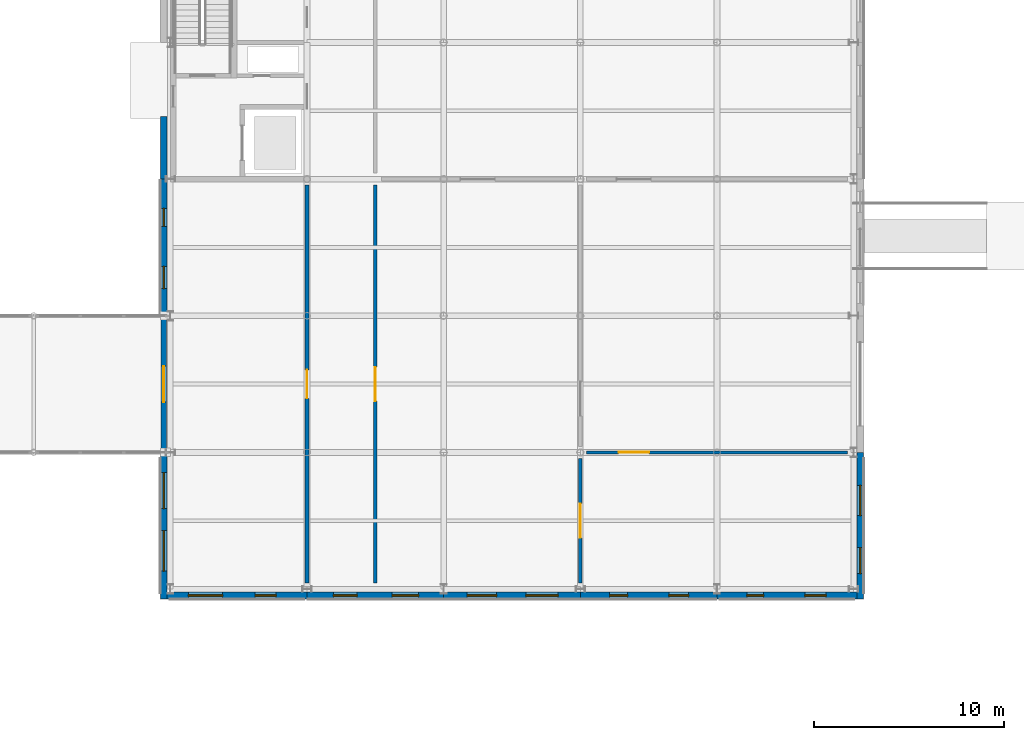
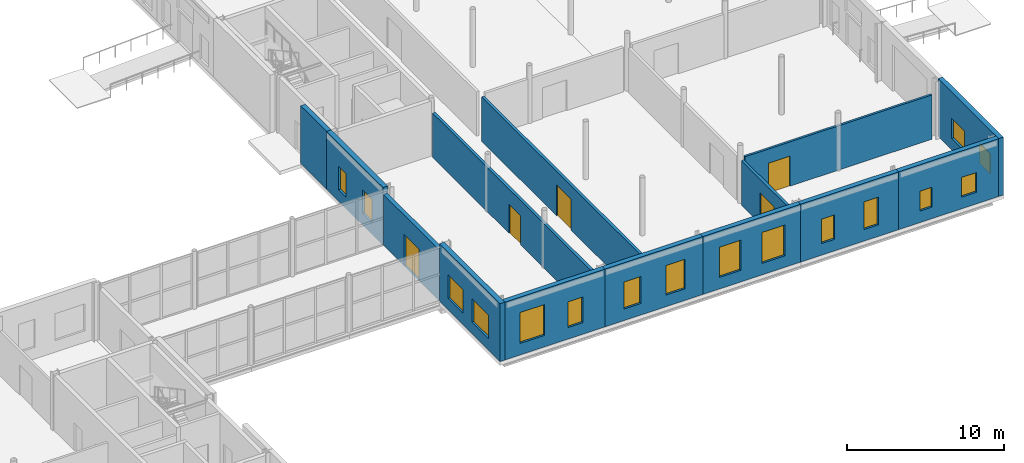
# One storey, part 66 of 92: 16 windows, 14 walls, 5 doors, 21 openings.
"""IFC4 building model written with IfcOpenShell, lengths in metres."""

from ifc_helpers import new_model, si_unit, direction, frame, frame_2d, origin, place, context, subcontext, project, spatial, rectangle, extrude, material, layer, layer_set, type_object, element, fill, save


model = new_model("IFC4")

# Units and contexts
model_context = context("Model", 3, precision=1e-05, world=origin(), true_north=direction((0.0, 1.0)))
body_context = subcontext(model_context, "Body", "Model", "MODEL_VIEW")
ifc_project = project(units=[si_unit("LENGTHUNIT", "METRE"), si_unit("AREAUNIT", "SQUARE_METRE"), si_unit("VOLUMEUNIT", "CUBIC_METRE"), si_unit("PLANEANGLEUNIT", "RADIAN"), si_unit("MASSUNIT", "GRAM", prefix="KILO")], contexts=[model_context])

# Site, building, storey
site_placement = place(None, origin())
site = spatial("IfcSite", under=ifc_project, at=site_placement, CompositionType="ELEMENT")
building_placement = place(site_placement, origin())
building = spatial("IfcBuilding", under=site, at=building_placement, Name="Zlatovets Crest Museum", CompositionType="ELEMENT")
storey_placement = place(building_placement, origin())
storey = spatial("IfcBuildingStorey", under=building, at=storey_placement, Name="L00", CompositionType="ELEMENT", Elevation=0.0)

# Wall, openings, windows
ifc_material_1 = material(Name="Vratsa limestone ashlar masonry and mineral wool", Category="masonry")
ifc_layer_1 = layer(ifc_material_1, 0.35009765625)
ifc_layer_set_1 = layer_set([ifc_layer_1], Name="Vratsa limestone ashlar masonry and mineral wool")
wall_type_1 = type_object("IfcWallType", Name="ExtWall_EW-01", PredefinedType="STANDARD", material=ifc_layer_set_1)
wall_1_placement = place(storey_placement, frame((129.43505859375, 14.06005859375, 0.0), z_axis=(0.0, 0.0, 1.0), x_axis=(1.0, 0.0, 0.0)))
wall_1 = element("IfcWall", 1, at=wall_1_placement, inside=storey, type_object=wall_type_1, Name="V5 L00 Vratsa Limestone Plinth Wall", PredefinedType="STANDARD", context=body_context, shape_type="SweptSolid", body=[
    extrude(rectangle(XDim=7.364990234375, YDim=0.35009765625, at=frame_2d((3.6826171875, 0.0))), origin(), (0.0, 0.0, 1.0), 4.5),
])
opening_1_placement = place(wall_1_placement, frame((1.115966796875, 0.0, 0.89990234375)))
opening_1 = element("IfcOpeningElement", 2, at=opening_1_placement, cuts=wall_1, Name="Opening WN-05", PredefinedType="OPENING", context=body_context, shape_type="SweptSolid", body=[
    extrude(rectangle(XDim=1.800048828125, YDim=2.39990234375, at=frame_2d((0.89990234375, 1.199951171875))), frame((0.0, 0.18505859375, 0.0), z_axis=(0.0, -1.0, 0.0), x_axis=(1.0, 0.0, 0.0)), (0.0, 0.0, 1.0), 0.3701171875),
])
opening_2_placement = place(wall_1_placement, frame((4.634033203125, 0.0, 0.89990234375)))
opening_2 = element("IfcOpeningElement", 3, at=opening_2_placement, cuts=wall_1, Name="Opening WN-06", PredefinedType="OPENING", context=body_context, shape_type="SweptSolid", body=[
    extrude(rectangle(XDim=1.10009765625, YDim=2.0, at=frame_2d((0.550048828125, 1.0))), frame((0.0, 0.18505859375, 0.0), z_axis=(0.0, -1.0, 0.0), x_axis=(1.0, 0.0, 0.0)), (0.0, 0.0, 1.0), 0.3701171875),
])
ifc_material_2 = material(Name="Bronze-anodised aluminium frame with low-E triple glass", Category="aluminium")
window_type_1 = type_object("IfcWindowType", Name="Win_WN-05", PartitioningType="SINGLE_PANEL", PredefinedType="WINDOW", material=ifc_material_2)
window_1_placement = place(opening_1_placement, origin())
window_1 = element("IfcWindow", 4, at=window_1_placement, inside=storey, type_object=window_type_1, Name="V5 L00 Secession Plinth Window WN-05", OverallHeight=2.39990234375, OverallWidth=1.800048828125, PartitioningType="SINGLE_PANEL", PredefinedType="WINDOW", context=body_context, shape_type="SweptSolid", body=[
    extrude(rectangle(XDim=1.800048828125, YDim=2.39990234375, at=frame_2d((0.89990234375, 1.199951171875))), frame((0.0, 0.030029296875, 0.0), z_axis=(0.0, -1.0, 0.0), x_axis=(1.0, 0.0, 0.0)), (0.0, 0.0, 1.0), 0.06005859375),
])
fill(opening_1, window_1)
window_type_2 = type_object("IfcWindowType", Name="Win_WN-06", PartitioningType="SINGLE_PANEL", PredefinedType="WINDOW", material=ifc_material_2)
window_2_placement = place(opening_2_placement, origin())
window_2 = element("IfcWindow", 5, at=window_2_placement, inside=storey, type_object=window_type_2, Name="V5 L00 Secession Plinth Window WN-06", OverallHeight=2.0, OverallWidth=1.10009765625, PartitioningType="SINGLE_PANEL", PredefinedType="WINDOW", context=body_context, shape_type="SweptSolid", body=[
    extrude(rectangle(XDim=1.10009765625, YDim=2.0, at=frame_2d((0.550048828125, 1.0))), frame((0.0, 0.030029296875, 0.0), z_axis=(0.0, -1.0, 0.0), x_axis=(1.0, 0.0, 0.0)), (0.0, 0.0, 1.0), 0.06005859375),
])
fill(opening_2, window_2)

wall_2_placement = place(storey_placement, frame((136.800048828125, 14.06005859375, 0.0), z_axis=(0.0, 0.0, 1.0), x_axis=(1.0, 0.0, 0.0)))
wall_2 = element("IfcWall", 6, at=wall_2_placement, inside=storey, type_object=wall_type_1, Name="V5 L00 Vratsa Limestone Plinth Wall", PredefinedType="STANDARD", context=body_context, shape_type="SweptSolid", body=[
    extrude(rectangle(XDim=7.199951171875, YDim=0.35009765625, at=frame_2d((3.60009765625, 0.0))), origin(), (0.0, 0.0, 1.0), 4.5),
])
opening_3_placement = place(wall_2_placement, frame((1.39111328125, 0.0, 0.89990234375)))
opening_3 = element("IfcOpeningElement", 7, at=opening_3_placement, cuts=wall_2, Name="Opening WN-07", PredefinedType="OPENING", context=body_context, shape_type="SweptSolid", body=[
    extrude(rectangle(XDim=1.25, YDim=2.10009765625, at=frame_2d((0.625, 1.050048828125))), frame((0.0, 0.18505859375, 0.0), z_axis=(0.0, -1.0, 0.0), x_axis=(1.0, 0.0, 0.0)), (0.0, 0.0, 1.0), 0.3701171875),
])
opening_4_placement = place(wall_2_placement, frame((4.48388671875, 0.0, 0.89990234375)))
opening_4 = element("IfcOpeningElement", 8, at=opening_4_placement, cuts=wall_2, Name="Opening WN-08", PredefinedType="OPENING", context=body_context, shape_type="SweptSolid", body=[
    extrude(rectangle(XDim=1.39990234375, YDim=2.300048828125, at=frame_2d((0.699951171875, 1.14990234375))), frame((0.0, 0.18505859375, 0.0), z_axis=(0.0, -1.0, 0.0), x_axis=(1.0, 0.0, 0.0)), (0.0, 0.0, 1.0), 0.3701171875),
])
window_type_3 = type_object("IfcWindowType", Name="Win_WN-07", PartitioningType="SINGLE_PANEL", PredefinedType="WINDOW", material=ifc_material_2)
window_3_placement = place(opening_3_placement, origin())
window_3 = element("IfcWindow", 9, at=window_3_placement, inside=storey, type_object=window_type_3, Name="V5 L00 Secession Plinth Window WN-07", OverallHeight=2.10009765625, OverallWidth=1.25, PartitioningType="SINGLE_PANEL", PredefinedType="WINDOW", context=body_context, shape_type="SweptSolid", body=[
    extrude(rectangle(XDim=1.25, YDim=2.10009765625, at=frame_2d((0.625, 1.050048828125))), frame((0.0, 0.030029296875, 0.0), z_axis=(0.0, -1.0, 0.0), x_axis=(1.0, 0.0, 0.0)), (0.0, 0.0, 1.0), 0.06005859375),
])
fill(opening_3, window_3)
window_type_4 = type_object("IfcWindowType", Name="Win_WN-08", PartitioningType="SINGLE_PANEL", PredefinedType="WINDOW", material=ifc_material_2)
window_4_placement = place(opening_4_placement, origin())
window_4 = element("IfcWindow", 10, at=window_4_placement, inside=storey, type_object=window_type_4, Name="V5 L00 Secession Plinth Window WN-08", OverallHeight=2.300048828125, OverallWidth=1.39990234375, PartitioningType="SINGLE_PANEL", PredefinedType="WINDOW", context=body_context, shape_type="SweptSolid", body=[
    extrude(rectangle(XDim=1.39990234375, YDim=2.300048828125, at=frame_2d((0.699951171875, 1.14990234375))), frame((0.0, 0.030029296875, 0.0), z_axis=(0.0, -1.0, 0.0), x_axis=(1.0, 0.0, 0.0)), (0.0, 0.0, 1.0), 0.06005859375),
])
fill(opening_4, window_4)

wall_3_placement = place(storey_placement, frame((144.0, 14.06005859375, 0.0), z_axis=(0.0, 0.0, 1.0), x_axis=(1.0, 0.0, 0.0)))
wall_3 = element("IfcWall", 11, at=wall_3_placement, inside=storey, type_object=wall_type_1, Name="V5 L00 Vratsa Limestone Plinth Wall", PredefinedType="STANDARD", context=body_context, shape_type="SweptSolid", body=[
    extrude(rectangle(XDim=7.199951171875, YDim=0.35009765625, at=frame_2d((3.60009765625, 0.0))), origin(), (0.0, 0.0, 1.0), 4.5),
])
opening_5_placement = place(wall_3_placement, frame((1.240966796875, 0.0, 0.89990234375)))
opening_5 = element("IfcOpeningElement", 12, at=opening_5_placement, cuts=wall_3, Name="Opening WN-09", PredefinedType="OPENING", context=body_context, shape_type="SweptSolid", body=[
    extrude(rectangle(XDim=1.550048828125, YDim=2.35009765625, at=frame_2d((0.77490234375, 1.175048828125))), frame((0.0, 0.18505859375, 0.0), z_axis=(0.0, -1.0, 0.0), x_axis=(1.0, 0.0, 0.0)), (0.0, 0.0, 1.0), 0.3701171875),
])
opening_6_placement = place(wall_3_placement, frame((4.333984375, 0.0, 0.89990234375)))
opening_6 = element("IfcOpeningElement", 13, at=opening_6_placement, cuts=wall_3, Name="Opening WN-10", PredefinedType="OPENING", context=body_context, shape_type="SweptSolid", body=[
    extrude(rectangle(XDim=1.699951171875, YDim=2.39990234375, at=frame_2d((0.85009765625, 1.199951171875))), frame((0.0, 0.18505859375, 0.0), z_axis=(0.0, -1.0, 0.0), x_axis=(1.0, 0.0, 0.0)), (0.0, 0.0, 1.0), 0.3701171875),
])
window_type_5 = type_object("IfcWindowType", Name="Win_WN-09", PartitioningType="SINGLE_PANEL", PredefinedType="WINDOW", material=ifc_material_2)
window_5_placement = place(opening_5_placement, origin())
window_5 = element("IfcWindow", 14, at=window_5_placement, inside=storey, type_object=window_type_5, Name="V5 L00 Secession Plinth Window WN-09", OverallHeight=2.35009765625, OverallWidth=1.550048828125, PartitioningType="SINGLE_PANEL", PredefinedType="WINDOW", context=body_context, shape_type="SweptSolid", body=[
    extrude(rectangle(XDim=1.550048828125, YDim=2.35009765625, at=frame_2d((0.77490234375, 1.175048828125))), frame((0.0, 0.030029296875, 0.0), z_axis=(0.0, -1.0, 0.0), x_axis=(1.0, 0.0, 0.0)), (0.0, 0.0, 1.0), 0.06005859375),
])
fill(opening_5, window_5)
window_type_6 = type_object("IfcWindowType", Name="Win_WN-10", PartitioningType="SINGLE_PANEL", PredefinedType="WINDOW", material=ifc_material_2)
window_6_placement = place(opening_6_placement, origin())
window_6 = element("IfcWindow", 15, at=window_6_placement, inside=storey, type_object=window_type_6, Name="V5 L00 Secession Plinth Window WN-10", OverallHeight=2.39990234375, OverallWidth=1.699951171875, PartitioningType="SINGLE_PANEL", PredefinedType="WINDOW", context=body_context, shape_type="SweptSolid", body=[
    extrude(rectangle(XDim=1.699951171875, YDim=2.39990234375, at=frame_2d((0.85009765625, 1.199951171875))), frame((0.0, 0.030029296875, 0.0), z_axis=(0.0, -1.0, 0.0), x_axis=(1.0, 0.0, 0.0)), (0.0, 0.0, 1.0), 0.06005859375),
])
fill(opening_6, window_6)

wall_4_placement = place(storey_placement, frame((151.199951171875, 14.06005859375, 0.0), z_axis=(0.0, 0.0, 1.0), x_axis=(1.0, 0.0, 0.0)))
wall_4 = element("IfcWall", 16, at=wall_4_placement, inside=storey, type_object=wall_type_1, Name="V5 L00 Vratsa Limestone Plinth Wall", PredefinedType="STANDARD", context=body_context, shape_type="SweptSolid", body=[
    extrude(rectangle(XDim=7.199951171875, YDim=0.35009765625, at=frame_2d((3.60009765625, 0.0))), origin(), (0.0, 0.0, 1.0), 4.5),
])
opening_7_placement = place(wall_4_placement, frame((1.541015625, 0.0, 0.89990234375)))
opening_7 = element("IfcOpeningElement", 17, at=opening_7_placement, cuts=wall_4, Name="Opening WN-11", PredefinedType="OPENING", context=body_context, shape_type="SweptSolid", body=[
    extrude(rectangle(XDim=0.949951171875, YDim=1.89990234375, at=frame_2d((0.47509765625, 0.949951171875))), frame((0.0, 0.18505859375, 0.0), z_axis=(0.0, -1.0, 0.0), x_axis=(1.0, 0.0, 0.0)), (0.0, 0.0, 1.0), 0.3701171875),
])
opening_8_placement = place(wall_4_placement, frame((4.658935546875, 0.0, 0.89990234375)))
opening_8 = element("IfcOpeningElement", 18, at=opening_8_placement, cuts=wall_4, Name="Opening WN-12", PredefinedType="OPENING", context=body_context, shape_type="SweptSolid", body=[
    extrude(rectangle(XDim=1.050048828125, YDim=2.14990234375, at=frame_2d((0.52490234375, 1.074951171875))), frame((0.0, 0.18505859375, 0.0), z_axis=(0.0, -1.0, 0.0), x_axis=(1.0, 0.0, 0.0)), (0.0, 0.0, 1.0), 0.3701171875),
])
window_type_7 = type_object("IfcWindowType", Name="Win_WN-11", PartitioningType="SINGLE_PANEL", PredefinedType="WINDOW", material=ifc_material_2)
window_7_placement = place(opening_7_placement, origin())
window_7 = element("IfcWindow", 19, at=window_7_placement, inside=storey, type_object=window_type_7, Name="V5 L00 Secession Plinth Window WN-11", OverallHeight=1.89990234375, OverallWidth=0.949951171875, PartitioningType="SINGLE_PANEL", PredefinedType="WINDOW", context=body_context, shape_type="SweptSolid", body=[
    extrude(rectangle(XDim=0.949951171875, YDim=1.89990234375, at=frame_2d((0.47509765625, 0.949951171875))), frame((0.0, 0.030029296875, 0.0), z_axis=(0.0, -1.0, 0.0), x_axis=(1.0, 0.0, 0.0)), (0.0, 0.0, 1.0), 0.06005859375),
])
fill(opening_7, window_7)
window_type_8 = type_object("IfcWindowType", Name="Win_WN-12", PartitioningType="SINGLE_PANEL", PredefinedType="WINDOW", material=ifc_material_2)
window_8_placement = place(opening_8_placement, origin())
window_8 = element("IfcWindow", 20, at=window_8_placement, inside=storey, type_object=window_type_8, Name="V5 L00 Secession Plinth Window WN-12", OverallHeight=2.14990234375, OverallWidth=1.050048828125, PartitioningType="SINGLE_PANEL", PredefinedType="WINDOW", context=body_context, shape_type="SweptSolid", body=[
    extrude(rectangle(XDim=1.050048828125, YDim=2.14990234375, at=frame_2d((0.52490234375, 1.074951171875))), frame((0.0, 0.030029296875, 0.0), z_axis=(0.0, -1.0, 0.0), x_axis=(1.0, 0.0, 0.0)), (0.0, 0.0, 1.0), 0.06005859375),
])
fill(opening_8, window_8)

wall_5_placement = place(storey_placement, frame((158.39990234375, 14.06005859375, 0.0), z_axis=(0.0, 0.0, 1.0), x_axis=(1.0, 0.0, 0.0)))
wall_5 = element("IfcWall", 21, at=wall_5_placement, inside=storey, type_object=wall_type_1, Name="V5 L00 Vratsa Limestone Plinth Wall", PredefinedType="STANDARD", context=body_context, shape_type="SweptSolid", body=[
    extrude(rectangle(XDim=7.364990234375, YDim=0.35009765625, at=frame_2d((3.6826171875, 0.0))), origin(), (0.0, 0.0, 1.0), 4.5),
])
opening_9_placement = place(wall_5_placement, frame((1.575927734375, 0.0, 0.89990234375)))
opening_9 = element("IfcOpeningElement", 22, at=opening_9_placement, cuts=wall_5, Name="Opening WN-16", PredefinedType="OPENING", context=body_context, shape_type="SweptSolid", body=[
    extrude(rectangle(XDim=0.8798828125, YDim=1.5400390625, at=frame_2d((0.43994140625, 0.77001953125))), frame((0.0, 0.18505859375, 0.0), z_axis=(0.0, -1.0, 0.0), x_axis=(1.0, 0.0, 0.0)), (0.0, 0.0, 1.0), 0.3701171875),
])
opening_10_placement = place(wall_5_placement, frame((4.6240234375, 0.0, 0.89990234375)))
opening_10 = element("IfcOpeningElement", 23, at=opening_10_placement, cuts=wall_5, Name="Opening WN-17", PredefinedType="OPENING", context=body_context, shape_type="SweptSolid", body=[
    extrude(rectangle(XDim=1.1201171875, YDim=1.5400390625, at=frame_2d((0.56005859375, 0.77001953125))), frame((0.0, 0.18505859375, 0.0), z_axis=(0.0, -1.0, 0.0), x_axis=(1.0, 0.0, 0.0)), (0.0, 0.0, 1.0), 0.3701171875),
])
window_type_9 = type_object("IfcWindowType", Name="Win_WN-16", PartitioningType="SINGLE_PANEL", PredefinedType="WINDOW", material=ifc_material_2)
window_9_placement = place(opening_9_placement, origin())
window_9 = element("IfcWindow", 24, at=window_9_placement, inside=storey, type_object=window_type_9, Name="V5 L00 Secession Plinth Window WN-16", OverallHeight=1.5400390625, OverallWidth=0.8798828125, PartitioningType="SINGLE_PANEL", PredefinedType="WINDOW", context=body_context, shape_type="SweptSolid", body=[
    extrude(rectangle(XDim=0.8798828125, YDim=1.5400390625, at=frame_2d((0.43994140625, 0.77001953125))), frame((0.0, 0.030029296875, 0.0), z_axis=(0.0, -1.0, 0.0), x_axis=(1.0, 0.0, 0.0)), (0.0, 0.0, 1.0), 0.06005859375),
])
fill(opening_9, window_9)
window_type_10 = type_object("IfcWindowType", Name="Win_WN-17", PartitioningType="SINGLE_PANEL", PredefinedType="WINDOW", material=ifc_material_2)
window_10_placement = place(opening_10_placement, origin())
window_10 = element("IfcWindow", 25, at=window_10_placement, inside=storey, type_object=window_type_10, Name="V5 L00 Secession Plinth Window WN-17", OverallHeight=1.5400390625, OverallWidth=1.1201171875, PartitioningType="SINGLE_PANEL", PredefinedType="WINDOW", context=body_context, shape_type="SweptSolid", body=[
    extrude(rectangle(XDim=1.1201171875, YDim=1.5400390625, at=frame_2d((0.56005859375, 0.77001953125))), frame((0.0, 0.030029296875, 0.0), z_axis=(0.0, -1.0, 0.0), x_axis=(1.0, 0.0, 0.0)), (0.0, 0.0, 1.0), 0.06005859375),
])
fill(opening_10, window_10)

wall_6_placement = place(storey_placement, frame((165.93994140625, 13.885009765625, 0.0), z_axis=(0.0, 0.0, 1.0), x_axis=(0.0, 1.0, 0.0)))
wall_6 = element("IfcWall", 26, at=wall_6_placement, inside=storey, type_object=wall_type_1, Name="V5 L00 Vratsa Limestone Plinth Wall", PredefinedType="STANDARD", context=body_context, shape_type="SweptSolid", body=[
    extrude(rectangle(XDim=7.715087890625, YDim=0.35009765625, at=frame_2d((3.857421875, 0.0))), origin(), (0.0, 0.0, 1.0), 4.5),
])
opening_11_placement = place(wall_6_placement, frame((1.3359375, 0.0, 0.89990234375)))
opening_11 = element("IfcOpeningElement", 27, at=opening_11_placement, cuts=wall_6, Name="Opening WN-18", PredefinedType="OPENING", context=body_context, shape_type="SweptSolid", body=[
    extrude(rectangle(XDim=1.360107421875, YDim=1.5400390625, at=frame_2d((0.68017578125, 0.77001953125))), frame((0.0, 0.18505859375, 0.0), z_axis=(0.0, -1.0, 0.0), x_axis=(1.0, 0.0, 0.0)), (0.0, 0.0, 1.0), 0.3701171875),
])
opening_12_placement = place(wall_6_placement, frame((4.384033203125, 0.0, 0.89990234375)))
opening_12 = element("IfcOpeningElement", 28, at=opening_12_placement, cuts=wall_6, Name="Opening WN-19", PredefinedType="OPENING", context=body_context, shape_type="SweptSolid", body=[
    extrude(rectangle(XDim=1.60009765625, YDim=1.5400390625, at=frame_2d((0.800048828125, 0.77001953125))), frame((0.0, 0.18505859375, 0.0), z_axis=(0.0, -1.0, 0.0), x_axis=(1.0, 0.0, 0.0)), (0.0, 0.0, 1.0), 0.3701171875),
])
window_type_11 = type_object("IfcWindowType", Name="Win_WN-18", PartitioningType="SINGLE_PANEL", PredefinedType="WINDOW", material=ifc_material_2)
window_11_placement = place(opening_11_placement, origin())
window_11 = element("IfcWindow", 29, at=window_11_placement, inside=storey, type_object=window_type_11, Name="V5 L00 Secession Plinth Window WN-18", OverallHeight=1.5400390625, OverallWidth=1.360107421875, PartitioningType="SINGLE_PANEL", PredefinedType="WINDOW", context=body_context, shape_type="SweptSolid", body=[
    extrude(rectangle(XDim=1.360107421875, YDim=1.5400390625, at=frame_2d((0.68017578125, 0.77001953125))), frame((0.0, 0.030029296875, 0.0), z_axis=(0.0, -1.0, 0.0), x_axis=(1.0, 0.0, 0.0)), (0.0, 0.0, 1.0), 0.06005859375),
])
fill(opening_11, window_11)
window_type_12 = type_object("IfcWindowType", Name="Win_WN-19", PartitioningType="SINGLE_PANEL", PredefinedType="WINDOW", material=ifc_material_2)
window_12_placement = place(opening_12_placement, origin())
window_12 = element("IfcWindow", 30, at=window_12_placement, inside=storey, type_object=window_type_12, Name="V5 L00 Secession Plinth Window WN-19", OverallHeight=1.5400390625, OverallWidth=1.60009765625, PartitioningType="SINGLE_PANEL", PredefinedType="WINDOW", context=body_context, shape_type="SweptSolid", body=[
    extrude(rectangle(XDim=1.60009765625, YDim=1.5400390625, at=frame_2d((0.800048828125, 0.77001953125))), frame((0.0, 0.030029296875, 0.0), z_axis=(0.0, -1.0, 0.0), x_axis=(1.0, 0.0, 0.0)), (0.0, 0.0, 1.0), 0.06005859375),
])
fill(opening_12, window_12)

# Wall
wall_7_placement = place(storey_placement, frame((129.260009765625, 39.300048828125, 0.0), z_axis=(0.0, 0.0, 1.0), x_axis=(0.0, -1.0, 0.0)))
element("IfcWall", 31, at=wall_7_placement, inside=storey, type_object=wall_type_1, Name="V5 L00 Vratsa Limestone Core Plinth", PredefinedType="STANDARD", context=body_context, shape_type="SweptSolid", body=[
    extrude(rectangle(XDim=3.300048828125, YDim=0.35009765625, at=frame_2d((1.64990234375, 0.0))), origin(), (0.0, 0.0, 1.0), 4.5),
])

# Wall, openings, windows
wall_8_placement = place(storey_placement, frame((129.260009765625, 36.0, 0.0), z_axis=(0.0, 0.0, 1.0), x_axis=(0.0, -1.0, 0.0)))
wall_8 = element("IfcWall", 32, at=wall_8_placement, inside=storey, type_object=wall_type_1, Name="V5 L00 Vratsa Limestone Plinth Wall", PredefinedType="STANDARD", context=body_context, shape_type="SweptSolid", body=[
    extrude(rectangle(XDim=7.199951171875, YDim=0.35009765625, at=frame_2d((3.60009765625, 0.0))), origin(), (0.0, 0.0, 1.0), 4.5),
])
opening_13_placement = place(wall_8_placement, frame((1.5458984375, 0.0, 0.89990234375)))
opening_13 = element("IfcOpeningElement", 33, at=opening_13_placement, cuts=wall_8, Name="Opening WN-28", PredefinedType="OPENING", context=body_context, shape_type="SweptSolid", body=[
    extrude(rectangle(XDim=0.93994140625, YDim=1.820068359375, at=frame_2d((0.469970703125, 0.91015625))), frame((0.0, 0.18505859375, 0.0), z_axis=(0.0, -1.0, 0.0), x_axis=(1.0, 0.0, 0.0)), (0.0, 0.0, 1.0), 0.3701171875),
])
opening_14_placement = place(wall_8_placement, frame((4.593994140625, 0.0, 0.89990234375)))
opening_14 = element("IfcOpeningElement", 34, at=opening_14_placement, cuts=wall_8, Name="Opening WN-29", PredefinedType="OPENING", context=body_context, shape_type="SweptSolid", body=[
    extrude(rectangle(XDim=1.179931640625, YDim=1.820068359375, at=frame_2d((0.58984375, 0.91015625))), frame((0.0, 0.18505859375, 0.0), z_axis=(0.0, -1.0, 0.0), x_axis=(1.0, 0.0, 0.0)), (0.0, 0.0, 1.0), 0.3701171875),
])
window_type_13 = type_object("IfcWindowType", Name="Win_WN-28", PartitioningType="SINGLE_PANEL", PredefinedType="WINDOW", material=ifc_material_2)
window_13_placement = place(opening_13_placement, origin())
window_13 = element("IfcWindow", 35, at=window_13_placement, inside=storey, type_object=window_type_13, Name="V5 L00 Secession Plinth Window WN-28", OverallHeight=1.820068359375, OverallWidth=0.93994140625, PartitioningType="SINGLE_PANEL", PredefinedType="WINDOW", context=body_context, shape_type="SweptSolid", body=[
    extrude(rectangle(XDim=0.93994140625, YDim=1.820068359375, at=frame_2d((0.469970703125, 0.91015625))), frame((0.0, 0.030029296875, 0.0), z_axis=(0.0, -1.0, 0.0), x_axis=(1.0, 0.0, 0.0)), (0.0, 0.0, 1.0), 0.06005859375),
])
fill(opening_13, window_13)
window_type_14 = type_object("IfcWindowType", Name="Win_WN-29", PartitioningType="SINGLE_PANEL", PredefinedType="WINDOW", material=ifc_material_2)
window_14_placement = place(opening_14_placement, origin())
window_14 = element("IfcWindow", 36, at=window_14_placement, inside=storey, type_object=window_type_14, Name="V5 L00 Secession Plinth Window WN-29", OverallHeight=1.820068359375, OverallWidth=1.179931640625, PartitioningType="SINGLE_PANEL", PredefinedType="WINDOW", context=body_context, shape_type="SweptSolid", body=[
    extrude(rectangle(XDim=1.179931640625, YDim=1.820068359375, at=frame_2d((0.58984375, 0.91015625))), frame((0.0, 0.030029296875, 0.0), z_axis=(0.0, -1.0, 0.0), x_axis=(1.0, 0.0, 0.0)), (0.0, 0.0, 1.0), 0.06005859375),
])
fill(opening_14, window_14)

wall_9_placement = place(storey_placement, frame((129.260009765625, 21.60009765625, 0.0), z_axis=(0.0, 0.0, 1.0), x_axis=(0.0, -1.0, 0.0)))
wall_9 = element("IfcWall", 37, at=wall_9_placement, inside=storey, type_object=wall_type_1, Name="V5 L00 Vratsa Limestone Plinth Wall", PredefinedType="STANDARD", context=body_context, shape_type="SweptSolid", body=[
    extrude(rectangle(XDim=7.715087890625, YDim=0.35009765625, at=frame_2d((3.857421875, 0.0))), origin(), (0.0, 0.0, 1.0), 4.5),
])
opening_15_placement = place(wall_9_placement, frame((1.06591796875, 0.0, 0.89990234375)))
opening_15 = element("IfcOpeningElement", 38, at=opening_15_placement, cuts=wall_9, Name="Opening WN-32", PredefinedType="OPENING", context=body_context, shape_type="SweptSolid", body=[
    extrude(rectangle(XDim=1.89990234375, YDim=1.820068359375, at=frame_2d((0.949951171875, 0.91015625))), frame((0.0, 0.18505859375, 0.0), z_axis=(0.0, -1.0, 0.0), x_axis=(1.0, 0.0, 0.0)), (0.0, 0.0, 1.0), 0.3701171875),
])
opening_16_placement = place(wall_9_placement, frame((4.114013671875, 0.0, 0.89990234375)))
opening_16 = element("IfcOpeningElement", 39, at=opening_16_placement, cuts=wall_9, Name="Opening WN-33", PredefinedType="OPENING", context=body_context, shape_type="SweptSolid", body=[
    extrude(rectangle(XDim=2.139892578125, YDim=1.820068359375, at=frame_2d((1.06982421875, 0.91015625))), frame((0.0, 0.18505859375, 0.0), z_axis=(0.0, -1.0, 0.0), x_axis=(1.0, 0.0, 0.0)), (0.0, 0.0, 1.0), 0.3701171875),
])
window_type_15 = type_object("IfcWindowType", Name="Win_WN-32", PartitioningType="SINGLE_PANEL", PredefinedType="WINDOW", material=ifc_material_2)
window_15_placement = place(opening_15_placement, origin())
window_15 = element("IfcWindow", 40, at=window_15_placement, inside=storey, type_object=window_type_15, Name="V5 L00 Secession Plinth Window WN-32", OverallHeight=1.820068359375, OverallWidth=1.89990234375, PartitioningType="SINGLE_PANEL", PredefinedType="WINDOW", context=body_context, shape_type="SweptSolid", body=[
    extrude(rectangle(XDim=1.89990234375, YDim=1.820068359375, at=frame_2d((0.949951171875, 0.91015625))), frame((0.0, 0.030029296875, 0.0), z_axis=(0.0, -1.0, 0.0), x_axis=(1.0, 0.0, 0.0)), (0.0, 0.0, 1.0), 0.06005859375),
])
fill(opening_15, window_15)
window_type_16 = type_object("IfcWindowType", Name="Win_WN-33", PartitioningType="SINGLE_PANEL", PredefinedType="WINDOW", material=ifc_material_2)
window_16_placement = place(opening_16_placement, origin())
window_16 = element("IfcWindow", 41, at=window_16_placement, inside=storey, type_object=window_type_16, Name="V5 L00 Secession Plinth Window WN-33", OverallHeight=1.820068359375, OverallWidth=2.139892578125, PartitioningType="SINGLE_PANEL", PredefinedType="WINDOW", context=body_context, shape_type="SweptSolid", body=[
    extrude(rectangle(XDim=2.139892578125, YDim=1.820068359375, at=frame_2d((1.06982421875, 0.91015625))), frame((0.0, 0.030029296875, 0.0), z_axis=(0.0, -1.0, 0.0), x_axis=(1.0, 0.0, 0.0)), (0.0, 0.0, 1.0), 0.06005859375),
])
fill(opening_16, window_16)

# Wall, opening, door
ifc_material_3 = material(Name="Insulated gallery conservation liner wall", Category="concrete")
ifc_layer_2 = layer(ifc_material_3, 0.300048828125)
ifc_layer_set_2 = layer_set([ifc_layer_2], Name="Insulated gallery conservation liner wall")
wall_type_2 = type_object("IfcWallType", Name="ExtWall_EW-02", PredefinedType="STANDARD", material=ifc_layer_set_2)
wall_10_placement = place(storey_placement, frame((129.260009765625, 28.800048828125, 0.0), z_axis=(0.0, 0.0, 1.0), x_axis=(0.0, -1.0, 0.0)))
wall_10 = element("IfcWall", 42, at=wall_10_placement, inside=storey, type_object=wall_type_2, Name="V5 L00 Bridge Portal Wall", PredefinedType="STANDARD", context=body_context, shape_type="SweptSolid", body=[
    extrude(rectangle(XDim=7.199951171875, YDim=0.300048828125, at=frame_2d((3.60009765625, 0.0))), origin(), (0.0, 0.0, 1.0), 3.949951171875),
])
opening_17_placement = place(wall_10_placement, frame((2.64990234375, 0.0, 0.0)))
opening_17 = element("IfcOpeningElement", 43, at=opening_17_placement, cuts=wall_10, Name="Opening ED-02", PredefinedType="OPENING", context=body_context, shape_type="SweptSolid", body=[
    extrude(rectangle(XDim=1.89990234375, YDim=2.449951171875, at=frame_2d((0.949951171875, 1.22509765625))), frame((0.0, 0.16015625, 0.0), z_axis=(0.0, -1.0, 0.0), x_axis=(1.0, 0.0, 0.0)), (0.0, 0.0, 1.0), 0.320068359375),
])
ifc_material_4 = material(Name="Bronze-clad insulated steel door", Category="steel")
door_type_1 = type_object("IfcDoorType", Name="ExtDoor_ED-02", OperationType="NOTDEFINED", PredefinedType="DOOR", material=ifc_material_4)
door_1_placement = place(opening_17_placement, origin())
door_1 = element("IfcDoor", 44, at=door_1_placement, inside=storey, type_object=door_type_1, Name="ED-V5-L00-BR046 V5 L00 Bridge Link Portal Door", OperationType="DOUBLE_DOOR_SINGLE_SWING", OverallHeight=2.449951171875, OverallWidth=1.89990234375, PredefinedType="DOOR", context=body_context, shape_type="SweptSolid", body=[
    extrude(rectangle(XDim=1.89990234375, YDim=2.449951171875, at=frame_2d((0.949951171875, 1.22509765625))), frame((0.0, 0.02490234375, 0.0), z_axis=(0.0, -1.0, 0.0), x_axis=(1.0, 0.0, 0.0)), (0.0, 0.0, 1.0), 0.050048828125),
])
fill(opening_17, door_1)

ifc_material_5 = material(Name="Gypsum-encased fire compartment partition")
ifc_layer_3 = layer(ifc_material_5, 0.199951171875)
ifc_layer_set_3 = layer_set([ifc_layer_3], Name="Gypsum-encased fire compartment partition")
wall_type_3 = type_object("IfcWallType", Name="PartWall_PT-01", PredefinedType="PARTITIONING", material=ifc_layer_set_3)
wall_11_placement = place(storey_placement, frame((140.39990234375, 14.719970703125, 0.0), z_axis=(0.0, 0.0, 1.0), x_axis=(0.0, 1.0, 0.0)))
wall_11 = element("IfcWall", 45, at=wall_11_placement, inside=storey, type_object=wall_type_3, Name="V5 L00 Interior Partition PT-01", PredefinedType="PARTITIONING", context=body_context, shape_type="SweptSolid", body=[
    extrude(rectangle(XDim=20.9599609375, YDim=0.199951171875, at=frame_2d((10.47998046875, 0.0))), origin(), (0.0, 0.0, 1.0), 3.449951171875),
])
opening_18_placement = place(wall_11_placement, frame((9.580078125, 0.0, 0.0)))
opening_18 = element("IfcOpeningElement", 46, at=opening_18_placement, cuts=wall_11, Name="Opening FD-04", PredefinedType="OPENING", context=body_context, shape_type="SweptSolid", body=[
    extrude(rectangle(XDim=1.800048828125, YDim=2.39990234375, at=frame_2d((0.89990234375, 1.199951171875))), frame((0.0, 0.10986328125, 0.0), z_axis=(0.0, -1.0, 0.0), x_axis=(1.0, 0.0, 0.0)), (0.0, 0.0, 1.0), 0.219970703125),
])
ifc_material_6 = material(Name="Archive vault heavy fire door")
door_type_2 = type_object("IfcDoorType", Name="IntDoor_FD-04", OperationType="DOUBLE_DOOR_SINGLE_SWING", PredefinedType="DOOR", material=ifc_material_6)
door_2_placement = place(opening_18_placement, origin())
door_2 = element("IfcDoor", 47, at=door_2_placement, inside=storey, type_object=door_type_2, Name="IDOOR-V5-L00-0080 Conservation Ground Corridor to Art Unpacking and Crating Hall Door", OperationType="DOUBLE_DOOR_SINGLE_SWING", OverallHeight=2.39990234375, OverallWidth=1.800048828125, PredefinedType="DOOR", context=body_context, shape_type="SweptSolid", body=[
    extrude(rectangle(XDim=1.800048828125, YDim=2.39990234375, at=frame_2d((0.89990234375, 1.199951171875))), frame((0.0, 0.02490234375, 0.0), z_axis=(0.0, -1.0, 0.0), x_axis=(1.0, 0.0, 0.0)), (0.0, 0.0, 1.0), 0.050048828125),
])
fill(opening_18, door_2)

wall_12_placement = place(storey_placement, frame((136.800048828125, 14.719970703125, 0.0), z_axis=(0.0, 0.0, 1.0), x_axis=(0.0, 1.0, 0.0)))
wall_12 = element("IfcWall", 48, at=wall_12_placement, inside=storey, type_object=wall_type_3, Name="V5 L00 Interior Partition PT-01", PredefinedType="PARTITIONING", context=body_context, shape_type="SweptSolid", body=[
    extrude(rectangle(XDim=20.9599609375, YDim=0.199951171875, at=frame_2d((10.47998046875, 0.0))), origin(), (0.0, 0.0, 1.0), 3.449951171875),
])
opening_19_placement = place(wall_12_placement, frame((9.72998046875, 0.0, 0.0)))
opening_19 = element("IfcOpeningElement", 49, at=opening_19_placement, cuts=wall_12, Name="Opening FD-02", PredefinedType="OPENING", context=body_context, shape_type="SweptSolid", body=[
    extrude(rectangle(XDim=1.5, YDim=2.25, at=frame_2d((0.75, 1.125))), frame((0.0, 0.10986328125, 0.0), z_axis=(0.0, -1.0, 0.0), x_axis=(1.0, 0.0, 0.0)), (0.0, 0.0, 1.0), 0.219970703125),
])
ifc_material_7 = material(Name="Double corridor compartment fire door")
door_type_3 = type_object("IfcDoorType", Name="IntDoor_FD-02", OperationType="DOUBLE_DOOR_SINGLE_SWING", PredefinedType="DOOR", material=ifc_material_7)
door_3_placement = place(opening_19_placement, origin())
door_3 = element("IfcDoor", 50, at=door_3_placement, inside=storey, type_object=door_type_3, Name="IDOOR-V5-L00-0087 Conservation Ground Corridor to Loading Security Control Office Door", OperationType="DOUBLE_DOOR_SINGLE_SWING", OverallHeight=2.25, OverallWidth=1.5, PredefinedType="DOOR", context=body_context, shape_type="SweptSolid", body=[
    extrude(rectangle(XDim=1.5, YDim=2.25, at=frame_2d((0.75, 1.125))), frame((0.0, 0.02490234375, 0.0), z_axis=(0.0, -1.0, 0.0), x_axis=(1.0, 0.0, 0.0)), (0.0, 0.0, 1.0), 0.050048828125),
])
fill(opening_19, door_3)

wall_13_placement = place(storey_placement, frame((151.199951171875, 14.719970703125, 0.0), z_axis=(0.0, 0.0, 1.0), x_axis=(0.0, 1.0, 0.0)))
wall_13 = element("IfcWall", 51, at=wall_13_placement, inside=storey, type_object=wall_type_3, Name="V5 L00 Interior Partition PT-01", PredefinedType="PARTITIONING", context=body_context, shape_type="SweptSolid", body=[
    extrude(rectangle(XDim=6.56005859375, YDim=0.199951171875, at=frame_2d((3.280029296875, 0.0))), origin(), (0.0, 0.0, 1.0), 3.449951171875),
])
opening_20_placement = place(wall_13_placement, frame((2.3798828125, 0.0, 0.0)))
opening_20 = element("IfcOpeningElement", 52, at=opening_20_placement, cuts=wall_13, Name="Opening FD-04", PredefinedType="OPENING", context=body_context, shape_type="SweptSolid", body=[
    extrude(rectangle(XDim=1.800048828125, YDim=2.39990234375, at=frame_2d((0.89990234375, 1.199951171875))), frame((0.0, 0.10986328125, 0.0), z_axis=(0.0, -1.0, 0.0), x_axis=(1.0, 0.0, 0.0)), (0.0, 0.0, 1.0), 0.219970703125),
])
door_4_placement = place(opening_20_placement, origin())
door_4 = element("IfcDoor", 53, at=door_4_placement, inside=storey, type_object=door_type_2, Name="IDOOR-V5-L00-0091 Art Unpacking and Crating Hall to Art Quarantine and Isolation Room Door", OperationType="DOUBLE_DOOR_SINGLE_SWING", OverallHeight=2.39990234375, OverallWidth=1.800048828125, PredefinedType="DOOR", context=body_context, shape_type="SweptSolid", body=[
    extrude(rectangle(XDim=1.800048828125, YDim=2.39990234375, at=frame_2d((0.89990234375, 1.199951171875))), frame((0.0, 0.02490234375, 0.0), z_axis=(0.0, -1.0, 0.0), x_axis=(1.0, 0.0, 0.0)), (0.0, 0.0, 1.0), 0.050048828125),
])
fill(opening_20, door_4)

ifc_material_8 = material(Name="Acoustic museum gallery stud partition")
ifc_layer_4 = layer(ifc_material_8, 0.159912109375)
ifc_layer_set_4 = layer_set([ifc_layer_4], Name="Acoustic museum gallery stud partition")
wall_type_4 = type_object("IfcWallType", Name="PartWall_PT-02", PredefinedType="PARTITIONING", material=ifc_layer_set_4)
wall_14_placement = place(storey_placement, frame((151.52001953125, 21.60009765625, 0.0), z_axis=(0.0, 0.0, 1.0), x_axis=(1.0, 0.0, 0.0)))
wall_14 = element("IfcWall", 54, at=wall_14_placement, inside=storey, type_object=wall_type_4, Name="V5 L00 Interior Partition PT-02", PredefinedType="PARTITIONING", context=body_context, shape_type="SweptSolid", body=[
    extrude(rectangle(XDim=13.760009765625, YDim=0.159912109375, at=frame_2d((6.8798828125, 0.0))), origin(), (0.0, 0.0, 1.0), 3.449951171875),
])
opening_21_placement = place(wall_14_placement, frame((1.701904296875, 0.0, 0.0)))
opening_21 = element("IfcOpeningElement", 55, at=opening_21_placement, cuts=wall_14, Name="Opening ID-04", PredefinedType="OPENING", context=body_context, shape_type="SweptSolid", body=[
    extrude(rectangle(XDim=1.60009765625, YDim=2.35009765625, at=frame_2d((0.800048828125, 1.175048828125))), frame((0.0, 0.08984375, 0.0), z_axis=(0.0, -1.0, 0.0), x_axis=(1.0, 0.0, 0.0)), (0.0, 0.0, 1.0), 0.179931640625),
])
ifc_material_9 = material(Name="Gallery salon double portal door")
door_type_4 = type_object("IfcDoorType", Name="IntDoor_ID-04", OperationType="DOUBLE_DOOR_SINGLE_SWING", PredefinedType="DOOR", material=ifc_material_9)
door_5_placement = place(opening_21_placement, origin())
door_5 = element("IfcDoor", 56, at=door_5_placement, inside=storey, type_object=door_type_4, Name="IDOOR-V5-L00-0089 Enclosed Loading Dock to Art Quarantine and Isolation Room Door", OperationType="DOUBLE_DOOR_SINGLE_SWING", OverallHeight=2.35009765625, OverallWidth=1.60009765625, PredefinedType="DOOR", context=body_context, shape_type="SweptSolid", body=[
    extrude(rectangle(XDim=1.60009765625, YDim=2.35009765625, at=frame_2d((0.800048828125, 1.175048828125))), frame((0.0, 0.02490234375, 0.0), z_axis=(0.0, -1.0, 0.0), x_axis=(1.0, 0.0, 0.0)), (0.0, 0.0, 1.0), 0.050048828125),
])
fill(opening_21, door_5)

save(model, "model.ifc")
